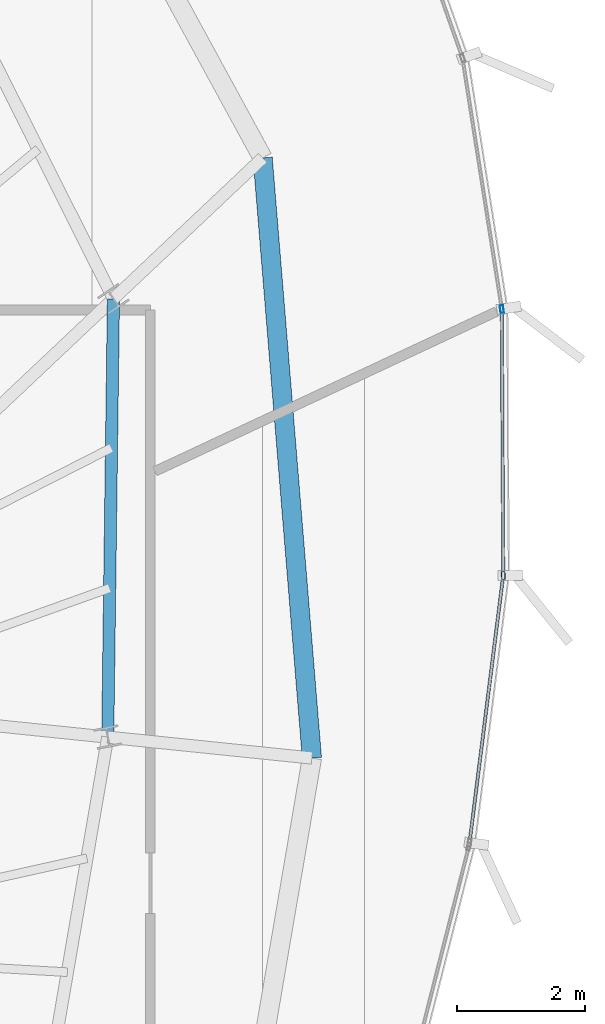
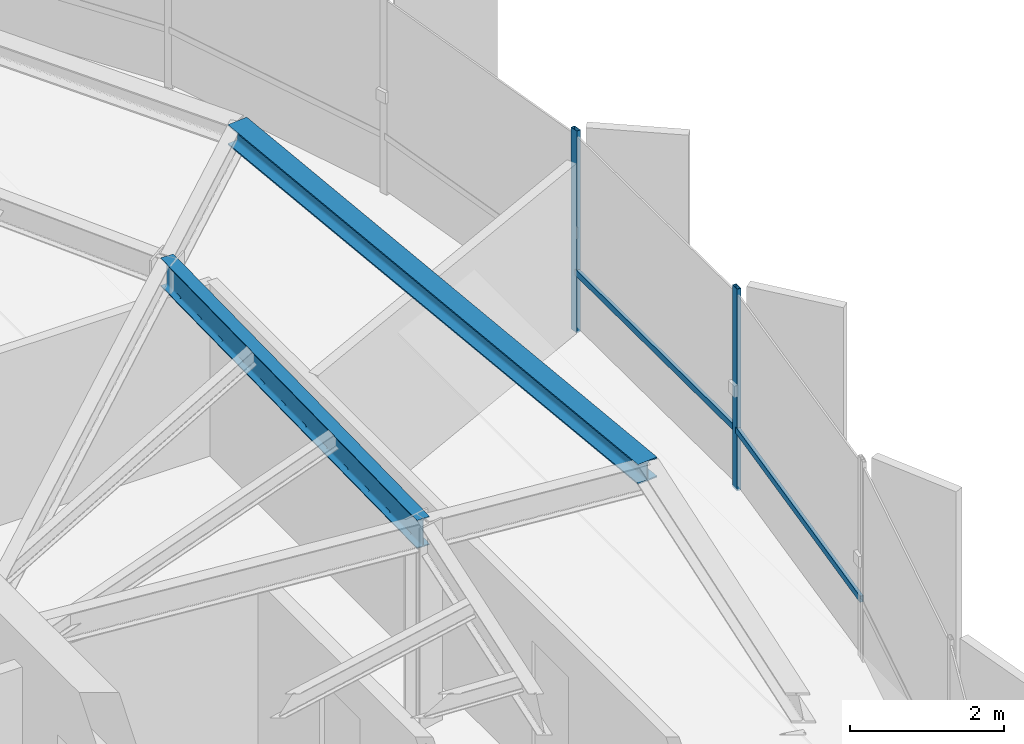
# One storey, part 16 of 34: 4 members, 2 beams, 1 element without a shape of its own.
"""IFC4 building model written with IfcOpenShell, lengths in metres."""

from ifc_helpers import new_model, si_unit, direction, frame, origin, origin_2d, place, context, subcontext, project, spatial, hollow_rectangle, i_section, extrude, source, transform, mapped, material, layer, layer_set, material_profile, profile_set, type_object, element, aggregate, save


model = new_model("IFC4")

# Units and contexts
model_context = context("Model", 3, precision=1e-05, world=origin(), true_north=direction((0.0, 1.0)))
body_context = subcontext(model_context, "Body", "Model", "MODEL_VIEW")
ifc_project = project(units=[si_unit("LENGTHUNIT", "METRE"), si_unit("AREAUNIT", "SQUARE_METRE"), si_unit("VOLUMEUNIT", "CUBIC_METRE"), si_unit("PLANEANGLEUNIT", "RADIAN"), si_unit("MASSUNIT", "GRAM", prefix="KILO"), si_unit("THERMODYNAMICTEMPERATUREUNIT", "KELVIN")], contexts=[model_context])

# Site, building, storey
site_placement = place(None, origin())
site = spatial("IfcSite", under=ifc_project, at=site_placement, CompositionType="ELEMENT")
building_placement = place(site_placement, origin())
building = spatial("IfcBuilding", under=site, at=building_placement, Name="Kethvar Cultural Tower", CompositionType="ELEMENT")
storey_placement = place(building_placement, frame((0.0, 0.0, 262.89990234375)))
storey = spatial("IfcBuildingStorey", under=building, at=storey_placement, Name="L69", CompositionType="ELEMENT", Elevation=262.89990234375)

# Beams
ifc_material_1 = material(Name="Steel S355J2", Category="steel")
ifc_material_profile_1 = material_profile(ifc_material_1, i_section(OverallWidth=0.18994140625, OverallDepth=0.449951171875, WebThickness=0.009521484375, FlangeThickness=0.0146484375, FilletRadius=0.02099609375, at=origin_2d()), Name="Steel S355J2 — IPE450")
ifc_profile_set_1 = profile_set([ifc_material_profile_1], Name="Steel S355J2 — IPE450")
beam_type_1 = type_object("IfcBeamType", Name="BM-IPE450", PredefinedType="BEAM", material=ifc_profile_set_1)
shared_shape_1 = source(origin(), body_context, "Body", "SweptSolid", [
    extrude(i_section(OverallWidth=0.18994140625, OverallDepth=0.449951171875, WebThickness=0.009521484375, FlangeThickness=0.0146484375, FilletRadius=0.02099609375, at=origin_2d()), origin(), (0.0, 0.0, 1.0), 6.834716796875),
])
beam_1_placement = place(storey_placement, frame((61.237060546875, 30.671630859375, 2.983154296875), z_axis=(0.012966437445, 0.999915932216, 0.0), x_axis=(-0.999915932216, 0.012966437445, 0.0)))
element("IfcBeam", 1, at=beam_1_placement, inside=storey, type_object=beam_type_1, Name="L69 Column Ring Tie Beam CR-01", PredefinedType="BEAM", context=body_context, shape_type="MappedRepresentation", body=[
    mapped(shared_shape_1, transform((0.0, 0.0, 0.0), scale=1.0)),
])
ifc_material_profile_2 = material_profile(ifc_material_1, i_section(OverallWidth=0.300048828125, OverallDepth=0.320068359375, WebThickness=0.011474609375, FlangeThickness=0.0205078125, FilletRadius=0.027099609375, at=origin_2d()), Name="Steel S355J2 — HEB320")
ifc_profile_set_2 = profile_set([ifc_material_profile_2], Name="Steel S355J2 — HEB320")
beam_type_2 = type_object("IfcBeamType", Name="BM-SP320", PredefinedType="SPANDREL", material=ifc_profile_set_2)
shared_shape_2 = source(origin(), body_context, "Body", "SweptSolid", [
    extrude(i_section(OverallWidth=0.300048828125, OverallDepth=0.320068359375, WebThickness=0.011474609375, FlangeThickness=0.0205078125, FilletRadius=0.027099609375, at=origin_2d()), origin(), (0.0, 0.0, 1.0), 9.388916015625),
])
beam_2_placement = place(storey_placement, frame((64.42041015625, 30.34521484375, 3.048095703125), z_axis=(-0.08178004371, 0.996650402323, 0.0), x_axis=(-0.996650402323, -0.08178004371, 0.0)))
element("IfcBeam", 2, at=beam_2_placement, inside=storey, type_object=beam_type_2, Name="L69 Perimeter Spandrel Beam SP-01", PredefinedType="SPANDREL", context=body_context, shape_type="MappedRepresentation", body=[
    mapped(shared_shape_2, transform((0.0, 0.0, 0.0), scale=1.0)),
])

# Curtain wall, members
ifc_material_2 = material(Name="Aluminium 6063-T6", Category="aluminium")
ifc_layer = layer(ifc_material_2, 0.179931640625, Name="Aluminium 6063-T6", Category="aluminium")
ifc_layer_set = layer_set([ifc_layer], Name="Aluminium 6063-T6 (180 mm)")
curtain_wall_type = type_object("IfcCurtainWallType", Name="CW-SYS-05-Z56", PredefinedType="NOTDEFINED", material=ifc_layer_set)
curtain_wall_placement = place(storey_placement, origin())
curtain_wall = element("IfcCurtainWall", 3, at=curtain_wall_placement, inside=storey, type_object=curtain_wall_type, Name="L69 Curtain Wall Run 06", PredefinedType="NOTDEFINED")
ifc_material_profile_3 = material_profile(ifc_material_2, hollow_rectangle(XDim=0.054931640625, YDim=0.1201171875, WallThickness=0.00390625, at=origin_2d()), Name="Aluminium 6063-T6 — RHS120x55x4")
ifc_profile_set_3 = profile_set([ifc_material_profile_3], Name="Aluminium 6063-T6 — RHS120x55x4")
member_type_1 = type_object("IfcMemberType", Name="CW-SYS-05-Z56-MUL", PredefinedType="MULLION", material=ifc_profile_set_3)
shared_shape_3 = source(origin(), body_context, "Body", "SweptSolid", [
    extrude(hollow_rectangle(XDim=0.054931640625, YDim=0.1201171875, WallThickness=0.00390625, at=origin_2d()), origin(), (0.0, 0.0, 1.0), 3.210205078125),
])
member_1_placement = place(storey_placement, frame((67.404052734375, 33.1923828125, 0.0), z_axis=(0.0, 0.0, 1.0), x_axis=(-0.999984887206, -0.005497759448, 0.0)))
member_1 = element("IfcMember", 4, at=member_1_placement, type_object=member_type_1, Name="CW-L69-R06 Mullion 2", PredefinedType="MULLION", context=body_context, shape_type="MappedRepresentation", body=[
    mapped(shared_shape_3, transform((0.0, 0.0, 0.0), scale=1.0)),
])
member_2_placement = place(storey_placement, frame((67.38232421875, 37.34619140625, 0.0), z_axis=(0.0, 0.0, 1.0), x_axis=(-0.987924737666, -0.154934543298, 0.0)))
member_2 = element("IfcMember", 5, at=member_2_placement, type_object=member_type_1, Name="CW-L69-R06 Mullion 3", PredefinedType="MULLION", context=body_context, shape_type="MappedRepresentation", body=[
    mapped(shared_shape_3, transform((0.0, 0.0, 0.0), scale=1.0)),
])
ifc_material_profile_4 = material_profile(ifc_material_2, hollow_rectangle(XDim=0.050048828125, YDim=0.10009765625, WallThickness=0.00390625, at=origin_2d()), Name="Aluminium 6063-T6 — RHS100x50x4")
ifc_profile_set_4 = profile_set([ifc_material_profile_4], Name="Aluminium 6063-T6 — RHS100x50x4")
member_type_2 = type_object("IfcMemberType", Name="CW-SYS-05-Z56-TRN", PredefinedType="USERDEFINED", material=ifc_profile_set_4)
shared_shape_4 = source(origin(), body_context, "Body", "SweptSolid", [
    extrude(hollow_rectangle(XDim=0.050048828125, YDim=0.10009765625, WallThickness=0.00390625, at=origin_2d()), origin(), (0.0, 0.0, 1.0), 4.08984375),
])
member_3_placement = place(storey_placement, frame((67.40380859375, 33.23193359375, 0.9501953125), z_axis=(-0.005491798749, 0.99998491996, 0.0), x_axis=(-0.99998491996, -0.005491798749, 0.0)))
member_3 = element("IfcMember", 6, at=member_3_placement, type_object=member_type_2, Name="CW-L69-R06 Transom 2", ObjectType="TRANSOM", PredefinedType="USERDEFINED", context=body_context, shape_type="MappedRepresentation", body=[
    mapped(shared_shape_4, transform((0.0, 0.0, 0.0), scale=1.0)),
])
shared_shape_5 = source(origin(), body_context, "Body", "SweptSolid", [
    extrude(hollow_rectangle(XDim=0.050048828125, YDim=0.10009765625, WallThickness=0.00390625, at=origin_2d()), origin(), (0.0, 0.0, 1.0), 4.172607421875),
])
member_4_placement = place(storey_placement, frame((66.878662109375, 29.026123046875, 0.9501953125), z_axis=(0.124920447886, 0.992166761034, 0.0), x_axis=(-0.992166761034, 0.124920447886, 0.0)))
member_4 = element("IfcMember", 7, at=member_4_placement, type_object=member_type_2, Name="CW-L69-R06 Transom 1", ObjectType="TRANSOM", PredefinedType="USERDEFINED", context=body_context, shape_type="MappedRepresentation", body=[
    mapped(shared_shape_5, transform((0.0, 0.0, 0.0), scale=1.0)),
])
aggregate(curtain_wall, [member_1, member_2, member_4, member_3])

save(model, "model.ifc")
